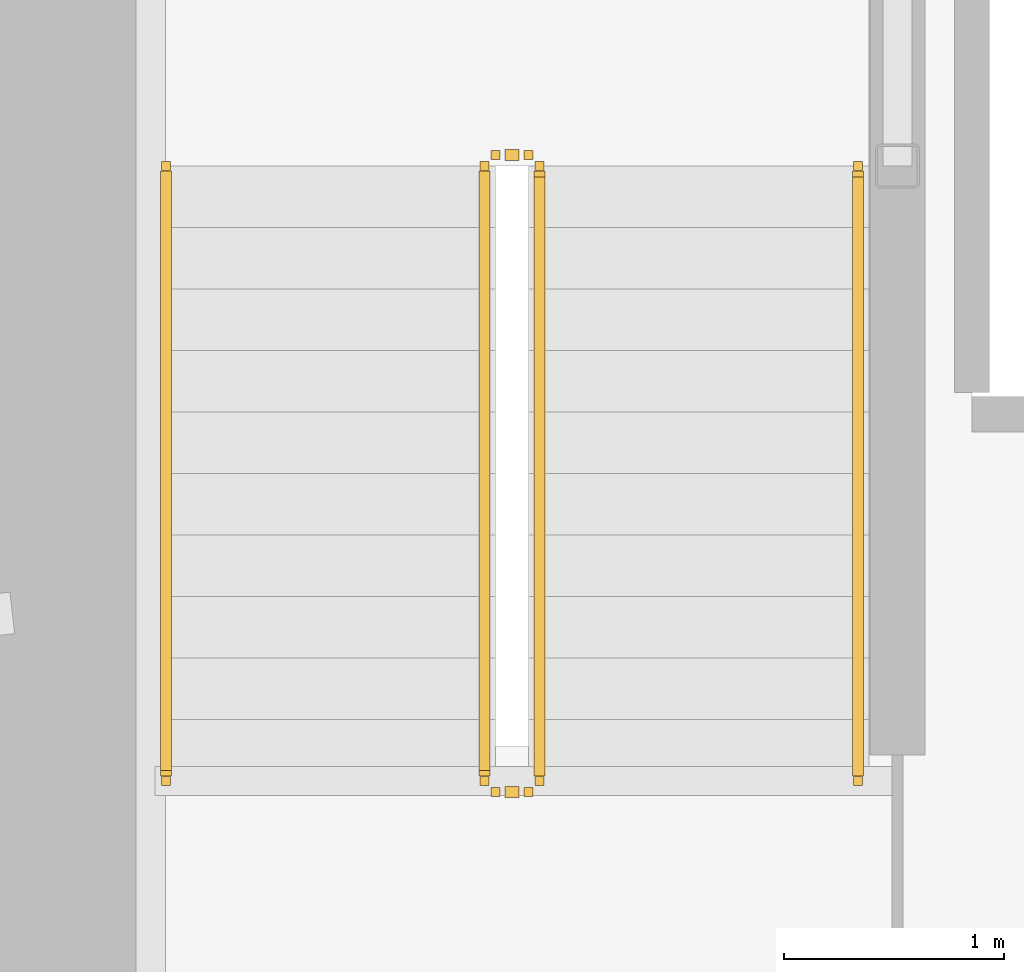
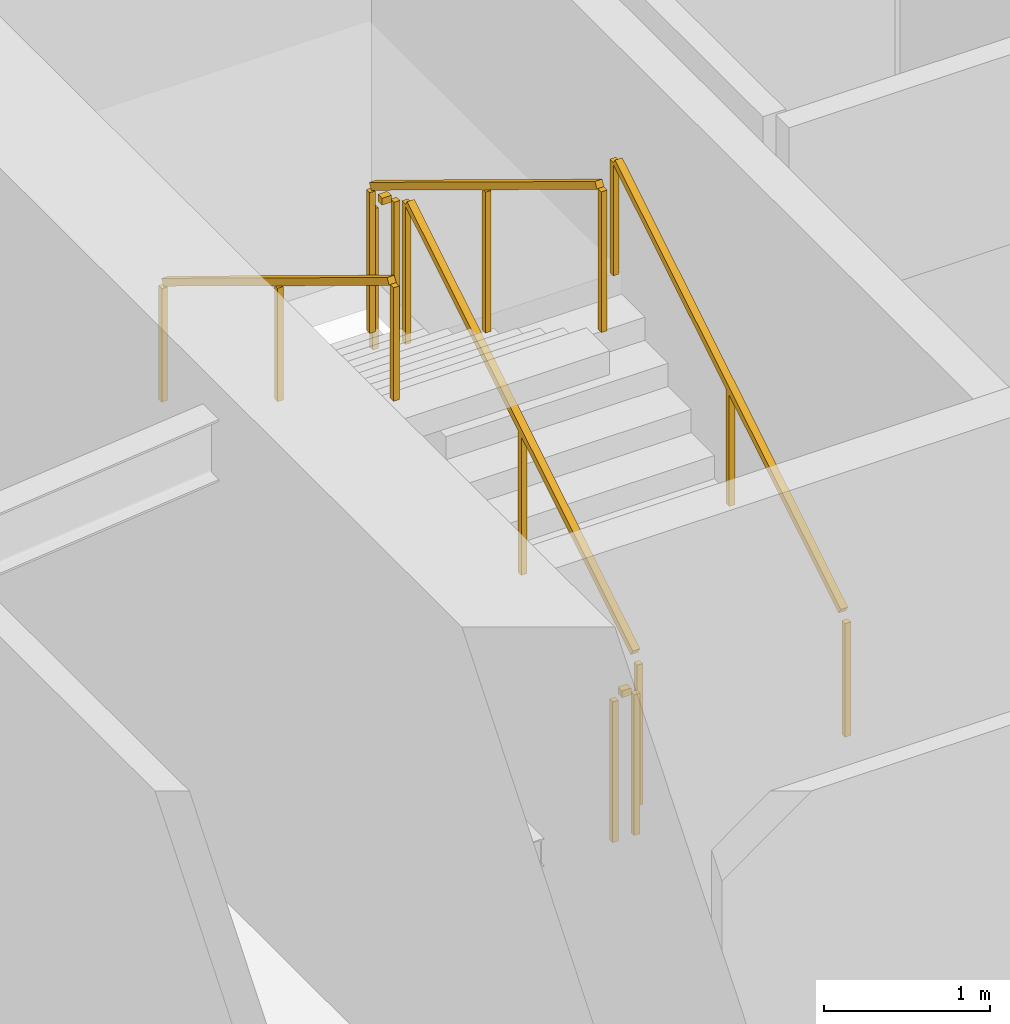
# One storey, part 17 of 20: 6 railings.
"""IFC4 building model written with IfcOpenShell, lengths in metres."""

from ifc_helpers import new_model, si_unit, direction, frame, origin, origin_2d, place, context, subcontext, project, spatial, rectangle, extrude, material, type_object, element, save


model = new_model("IFC4")

# Units and contexts
model_context = context("Model", 3, precision=1e-05, world=origin(), true_north=direction((0.0, 1.0)))
body_context = subcontext(model_context, "Body", "Model", "MODEL_VIEW")
ifc_project = project(units=[si_unit("LENGTHUNIT", "METRE"), si_unit("AREAUNIT", "SQUARE_METRE"), si_unit("VOLUMEUNIT", "CUBIC_METRE"), si_unit("PLANEANGLEUNIT", "RADIAN"), si_unit("MASSUNIT", "GRAM", prefix="KILO")], contexts=[model_context])

# Site, building, storey
site_placement = place(None, origin())
site = spatial("IfcSite", under=ifc_project, at=site_placement, CompositionType="ELEMENT")
building_placement = place(site_placement, origin())
building = spatial("IfcBuilding", under=site, at=building_placement, Name="Kazma Halo Residences", CompositionType="ELEMENT")
storey_placement = place(building_placement, frame((0.0, 0.0, 139.050048828125)))
storey = spatial("IfcBuildingStorey", under=building, at=storey_placement, Name="L34", CompositionType="ELEMENT", Elevation=139.050048828125)

# Railings
ifc_material_1 = material(Name="Painted Steel S355", Category="steel")
railing_type_1 = type_object("IfcRailingType", Name="RLG-STAIR-GRD-1100", PredefinedType="GUARDRAIL", material=ifc_material_1)
railing_1_placement = place(storey_placement, frame((39.550048828125, 39.949951171875, 0.17041015625)))
element("IfcRailing", 1, at=railing_1_placement, inside=storey, type_object=railing_type_1, Name="L34 ST-01 stair guard 1", PredefinedType="GUARDRAIL", context=body_context, shape_type="SweptSolid", body=[
    extrude(rectangle(XDim=0.050048828125, YDim=0.050048828125, at=origin_2d()), frame((0.0, 0.036376953125, 1.09716796875), z_axis=(0.0, 0.854169791009, 0.51999420009), x_axis=(-1.0, 0.0, 0.0)), (0.0, 0.0, 1.0), 3.193115234375),
    extrude(rectangle(XDim=0.0400390625, YDim=0.0400390625, at=origin_2d()), origin(), (0.0, 0.0, 1.0), 1.0380859375),
    extrude(rectangle(XDim=0.0400390625, YDim=0.0400390625, at=origin_2d()), frame((0.0, 1.39990234375, 0.852294921875)), (0.0, 0.0, 1.0), 1.0380859375),
    extrude(rectangle(XDim=0.0400390625, YDim=0.0400390625, at=origin_2d()), frame((0.0, 2.800048828125, 1.70458984375)), (0.0, 0.0, 1.0), 1.0380859375),
])
railing_2_placement = place(storey_placement, frame((39.5, 42.800048828125, 1.875)))
element("IfcRailing", 2, at=railing_2_placement, inside=storey, type_object=railing_type_1, Name="L34 ST-01 stair guard 2", PredefinedType="GUARDRAIL", context=body_context, shape_type="SweptSolid", body=[
    extrude(rectangle(XDim=0.050048828125, YDim=0.050048828125, at=origin_2d()), frame((-0.04248046875, 0.0, 1.0751953125), z_axis=(-1.0, 0.0, 0.0), x_axis=(0.0, -1.0, 0.0)), (0.0, 0.0, 1.0), 0.06494140625),
    extrude(rectangle(XDim=0.0400390625, YDim=0.0400390625, at=origin_2d()), origin(), (0.0, 0.0, 1.0), 1.0380859375),
    extrude(rectangle(XDim=0.0400390625, YDim=0.0400390625, at=origin_2d()), frame((-0.14990234375, 0.0, 0.0)), (0.0, 0.0, 1.0), 1.0380859375),
])
railing_3_placement = place(storey_placement, frame((39.300048828125, 42.75, 2.04541015625)))
element("IfcRailing", 3, at=railing_3_placement, inside=storey, type_object=railing_type_1, Name="L34 ST-01 stair guard 3", PredefinedType="GUARDRAIL", context=body_context, shape_type="SweptSolid", body=[
    extrude(rectangle(XDim=0.050048828125, YDim=0.050048828125, at=origin_2d()), frame((0.0, -0.036376953125, 1.09716796875), z_axis=(0.0, -0.854169791009, 0.51999420009), x_axis=(1.0, 0.0, 0.0)), (0.0, 0.0, 1.0), 3.193115234375),
    extrude(rectangle(XDim=0.0400390625, YDim=0.0400390625, at=origin_2d()), origin(), (0.0, 0.0, 1.0), 1.0380859375),
    extrude(rectangle(XDim=0.0400390625, YDim=0.0400390625, at=origin_2d()), frame((0.0, -1.39990234375, 0.852294921875)), (0.0, 0.0, 1.0), 1.0380859375),
    extrude(rectangle(XDim=0.0400390625, YDim=0.0400390625, at=origin_2d()), frame((0.0, -2.800048828125, 1.70458984375)), (0.0, 0.0, 1.0), 1.0380859375),
])
railing_4_placement = place(storey_placement, frame((39.5, 39.89990234375, 0.0)))
element("IfcRailing", 4, at=railing_4_placement, inside=storey, type_object=railing_type_1, Name="L34 ST-01 stair guard 4", PredefinedType="GUARDRAIL", context=body_context, shape_type="SweptSolid", body=[
    extrude(rectangle(XDim=0.050048828125, YDim=0.050048828125, at=origin_2d()), frame((-0.04248046875, 0.0, 1.0751953125), z_axis=(-1.0, 0.0, 0.0), x_axis=(0.0, -1.0, 0.0)), (0.0, 0.0, 1.0), 0.06494140625),
    extrude(rectangle(XDim=0.0400390625, YDim=0.0400390625, at=origin_2d()), origin(), (0.0, 0.0, 1.0), 1.0380859375),
    extrude(rectangle(XDim=0.0400390625, YDim=0.0400390625, at=origin_2d()), frame((-0.14990234375, 0.0, 0.0)), (0.0, 0.0, 1.0), 1.0380859375),
])
ifc_material_2 = material(Name="Brushed Stainless Steel", Category="steel")
railing_type_2 = type_object("IfcRailingType", Name="RLG-STAIR-HND-900", PredefinedType="HANDRAIL", material=ifc_material_2)
railing_5_placement = place(storey_placement, frame((41.0, 39.949951171875, 0.17041015625)))
element("IfcRailing", 5, at=railing_5_placement, inside=storey, type_object=railing_type_2, Name="L34 ST-01 stair handrail 1", PredefinedType="HANDRAIL", context=body_context, shape_type="SweptSolid", body=[
    extrude(rectangle(XDim=0.050048828125, YDim=0.050048828125, at=origin_2d()), frame((0.0, 0.036376953125, 0.89697265625), z_axis=(0.0, 0.854169791009, 0.51999420009), x_axis=(-1.0, 0.0, 0.0)), (0.0, 0.0, 1.0), 3.193115234375),
    extrude(rectangle(XDim=0.0400390625, YDim=0.0400390625, at=origin_2d()), origin(), (0.0, 0.0, 1.0), 0.837890625),
    extrude(rectangle(XDim=0.0400390625, YDim=0.0400390625, at=origin_2d()), frame((0.0, 1.39990234375, 0.852294921875)), (0.0, 0.0, 1.0), 0.837890625),
    extrude(rectangle(XDim=0.0400390625, YDim=0.0400390625, at=origin_2d()), frame((0.0, 2.800048828125, 1.70458984375)), (0.0, 0.0, 1.0), 0.837890625),
])
railing_6_placement = place(storey_placement, frame((37.85009765625, 42.75, 2.04541015625)))
element("IfcRailing", 6, at=railing_6_placement, inside=storey, type_object=railing_type_2, Name="L34 ST-01 stair handrail 2", PredefinedType="HANDRAIL", context=body_context, shape_type="SweptSolid", body=[
    extrude(rectangle(XDim=0.050048828125, YDim=0.050048828125, at=origin_2d()), frame((0.0, -0.036376953125, 0.89697265625), z_axis=(0.0, -0.854169791009, 0.51999420009), x_axis=(1.0, 0.0, 0.0)), (0.0, 0.0, 1.0), 3.193115234375),
    extrude(rectangle(XDim=0.0400390625, YDim=0.0400390625, at=origin_2d()), origin(), (0.0, 0.0, 1.0), 0.837890625),
    extrude(rectangle(XDim=0.0400390625, YDim=0.0400390625, at=origin_2d()), frame((0.0, -1.39990234375, 0.852294921875)), (0.0, 0.0, 1.0), 0.837890625),
    extrude(rectangle(XDim=0.0400390625, YDim=0.0400390625, at=origin_2d()), frame((0.0, -2.800048828125, 1.70458984375)), (0.0, 0.0, 1.0), 0.837890625),
])

save(model, "model.ifc")
